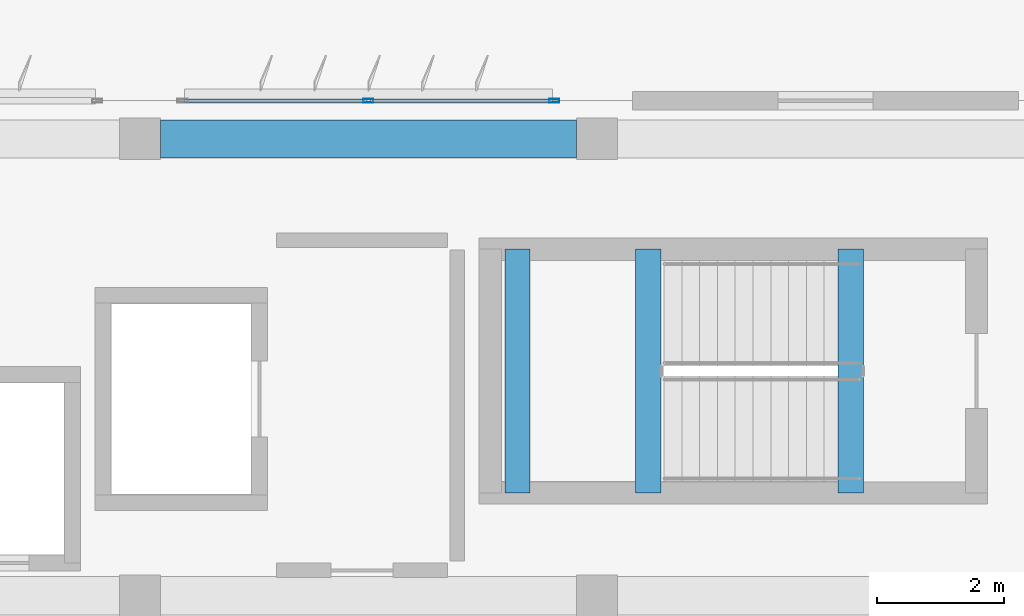
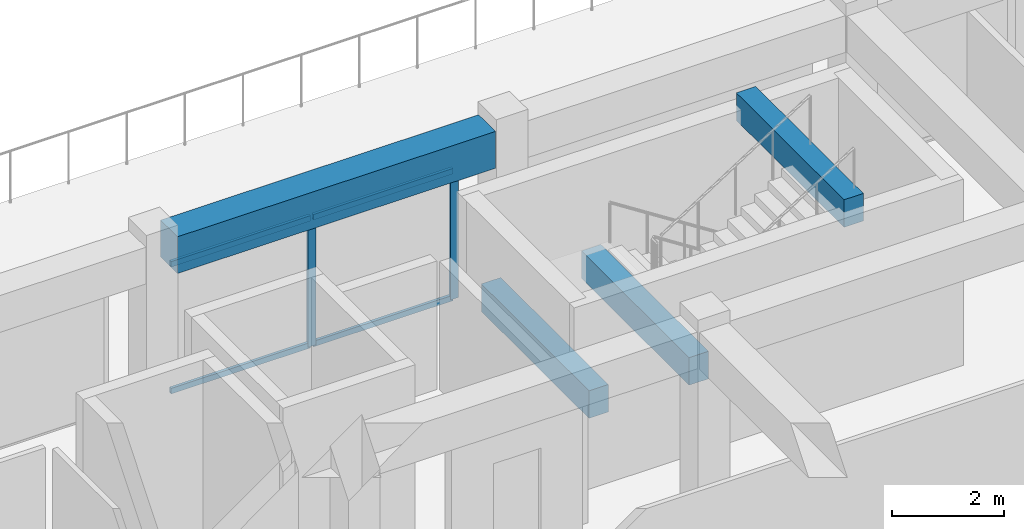
# One storey, part 21 of 42: 6 members, 4 beams, 1 element without a shape of its own.
"""IFC4 building model written with IfcOpenShell, lengths in metres."""

from ifc_helpers import new_model, si_unit, direction, frame, origin, origin_2d, place, context, subcontext, project, spatial, rectangle, hollow_rectangle, extrude, material, material_profile, profile_set, type_object, element, aggregate, save


model = new_model("IFC4")

# Units and contexts
model_context = context("Model", 3, precision=1e-05, world=origin(), true_north=direction((0.0, 1.0)))
body_context = subcontext(model_context, "Body", "Model", "MODEL_VIEW")
ifc_project = project(units=[si_unit("LENGTHUNIT", "METRE"), si_unit("AREAUNIT", "SQUARE_METRE"), si_unit("VOLUMEUNIT", "CUBIC_METRE"), si_unit("PLANEANGLEUNIT", "RADIAN"), si_unit("MASSUNIT", "GRAM", prefix="KILO")], contexts=[model_context])

# Site, building, storey
site_placement = place(None, origin())
site = spatial("IfcSite", under=ifc_project, at=site_placement, CompositionType="ELEMENT")
building_placement = place(site_placement, origin())
building = spatial("IfcBuilding", under=site, at=building_placement, Name="Kazehaya Institute of Natural Sciences", CompositionType="ELEMENT")
storey_placement = place(building_placement, frame((0.0, 0.0, 37.6201171875)))
storey = spatial("IfcBuildingStorey", under=building, at=storey_placement, Name="L08", CompositionType="ELEMENT", Elevation=37.6201171875)

# Beams
ifc_material_1 = material(Name="Concrete Fc36", Category="concrete")
ifc_material_profile_1 = material_profile(ifc_material_1, rectangle(XDim=0.39990234375, YDim=0.60009765625, at=origin_2d()), Name="RC-400x600")
ifc_profile_set_1 = profile_set([ifc_material_profile_1], Name="Concrete Fc36")
beam_type_1 = type_object("IfcBeamType", Name="BM-B-400x600", PredefinedType="BEAM", material=ifc_profile_set_1)
for number, where, z_axis, x_axis, name in (
    (1, (109.0, 22.820068359375, 4.019775390625), (0.0, 1.0, 0.0), (-1.0, 0.0, 0.0), "L09 ST-2 stair header trimmer beam"),
    (2, (103.75, 22.820068359375, 1.699951171875), (0.0, 1.0, 0.0), (-1.0, 0.0, 0.0), "L08 ST-2 landing beam 1"),
    (3, (105.81005859375, 22.820068359375, 1.699951171875), (0.0, 1.0, 0.0), (-1.0, 0.0, 0.0), "L08 ST-2 landing beam 2"),
):
    element("IfcBeam", number, at=place(storey_placement, frame(where, z_axis=z_axis, x_axis=x_axis)), inside=storey, type_object=beam_type_1, Name=name, PredefinedType="BEAM", context=body_context, shape_type="SweptSolid", body=[
        extrude(rectangle(XDim=0.39990234375, YDim=0.60009765625, at=origin_2d()), origin(), (0.0, 0.0, 1.0), 3.83984375),
    ])
ifc_material_profile_2 = material_profile(ifc_material_1, rectangle(XDim=0.60009765625, YDim=0.800048828125, at=origin_2d()), Name="RC-600x800")
ifc_profile_set_2 = profile_set([ifc_material_profile_2], Name="Concrete Fc36")
beam_type_2 = type_object("IfcBeamType", Name="BM-G-600x800", PredefinedType="BEAM", material=ifc_profile_set_2)
beam_placement = place(storey_placement, frame((98.125, 28.39990234375, 3.64990234375), z_axis=(1.0, 0.0, 0.0), x_axis=(0.0, 1.0, 0.0)))
element("IfcBeam", 4, at=beam_placement, inside=storey, type_object=beam_type_2, Name="L08 primary X girder BMX-L08-978-284", PredefinedType="BEAM", context=body_context, shape_type="SweptSolid", body=[
    extrude(rectangle(XDim=0.60009765625, YDim=0.800048828125, at=origin_2d()), origin(), (0.0, 0.0, 1.0), 6.550048828125),
])

# Curtain wall, members
ifc_material_2 = material(Name="Aluminium alloy A6063S-T5", Category="aluminium")
curtain_wall_type = type_object("IfcCurtainWallType", Name="CW-SYS-05", PredefinedType="NOTDEFINED", material=ifc_material_2)
curtain_wall_placement = place(storey_placement, origin())
curtain_wall = element("IfcCurtainWall", 5, at=curtain_wall_placement, inside=storey, type_object=curtain_wall_type, Name="L08 unitised curtain wall CW-L08-191", PredefinedType="NOTDEFINED")
ifc_material_profile_3 = material_profile(ifc_material_2, hollow_rectangle(XDim=0.06005859375, YDim=0.159912109375, WallThickness=0.00390625, at=origin_2d()), Name="ALU-60x160x4")
ifc_profile_set_3 = profile_set([ifc_material_profile_3], Name="Aluminium alloy A6063S-T5")
member_type_1 = type_object("IfcMemberType", Name="CWM-160", PredefinedType="MULLION", material=ifc_profile_set_3)
member_1_placement = place(storey_placement, frame((101.39990234375, 29.0, 0.0), z_axis=(0.0, 0.0, 1.0), x_axis=(0.0, 1.0, 0.0)))
member_1 = element("IfcMember", 6, at=member_1_placement, type_object=member_type_1, Name="CW05 mullion 2", PredefinedType="MULLION", context=body_context, shape_type="SweptSolid", body=[
    extrude(hollow_rectangle(XDim=0.06005859375, YDim=0.159912109375, WallThickness=0.00390625, at=origin_2d()), origin(), (0.0, 0.0, 1.0), 2.81982421875),
])
member_2_placement = place(storey_placement, frame((104.330078125, 29.0, 0.0), z_axis=(0.0, 0.0, 1.0), x_axis=(0.0, 1.0, 0.0)))
member_2 = element("IfcMember", 7, at=member_2_placement, type_object=member_type_1, Name="CW05 mullion 3", PredefinedType="MULLION", context=body_context, shape_type="SweptSolid", body=[
    extrude(hollow_rectangle(XDim=0.06005859375, YDim=0.159912109375, WallThickness=0.00390625, at=origin_2d()), origin(), (0.0, 0.0, 1.0), 2.81982421875),
])
ifc_material_profile_4 = material_profile(ifc_material_2, hollow_rectangle(XDim=0.06005859375, YDim=0.1201171875, WallThickness=0.00341796875, at=origin_2d()), Name="ALU-60x120x3.5")
ifc_profile_set_4 = profile_set([ifc_material_profile_4], Name="Aluminium alloy A6063S-T5")
member_type_2 = type_object("IfcMemberType", Name="CWT-120", PredefinedType="USERDEFINED", material=ifc_profile_set_4)
member_3_placement = place(storey_placement, frame((98.5, 29.0, 0.02978515625), z_axis=(1.0, 0.0, 0.0), x_axis=(0.0, 1.0, 0.0)))
member_3 = element("IfcMember", 8, at=member_3_placement, type_object=member_type_2, Name="CW05 transom 1.1", ObjectType="TRANSOM", PredefinedType="USERDEFINED", context=body_context, shape_type="SweptSolid", body=[
    extrude(hollow_rectangle(XDim=0.06005859375, YDim=0.1201171875, WallThickness=0.00341796875, at=origin_2d()), origin(), (0.0, 0.0, 1.0), 2.8701171875),
])
member_4_placement = place(storey_placement, frame((98.5, 29.0, 2.789794921875), z_axis=(1.0, 0.0, 0.0), x_axis=(0.0, 1.0, 0.0)))
member_4 = element("IfcMember", 9, at=member_4_placement, type_object=member_type_2, Name="CW05 transom 1.2", ObjectType="TRANSOM", PredefinedType="USERDEFINED", context=body_context, shape_type="SweptSolid", body=[
    extrude(hollow_rectangle(XDim=0.06005859375, YDim=0.1201171875, WallThickness=0.00341796875, at=origin_2d()), origin(), (0.0, 0.0, 1.0), 2.8701171875),
])
member_5_placement = place(storey_placement, frame((101.429931640625, 29.0, 0.02978515625), z_axis=(1.0, 0.0, 0.0), x_axis=(0.0, 1.0, 0.0)))
member_5 = element("IfcMember", 10, at=member_5_placement, type_object=member_type_2, Name="CW05 transom 2.1", ObjectType="TRANSOM", PredefinedType="USERDEFINED", context=body_context, shape_type="SweptSolid", body=[
    extrude(hollow_rectangle(XDim=0.06005859375, YDim=0.1201171875, WallThickness=0.00341796875, at=origin_2d()), origin(), (0.0, 0.0, 1.0), 2.8701171875),
])
member_6_placement = place(storey_placement, frame((101.429931640625, 29.0, 2.789794921875), z_axis=(1.0, 0.0, 0.0), x_axis=(0.0, 1.0, 0.0)))
member_6 = element("IfcMember", 11, at=member_6_placement, type_object=member_type_2, Name="CW05 transom 2.2", ObjectType="TRANSOM", PredefinedType="USERDEFINED", context=body_context, shape_type="SweptSolid", body=[
    extrude(hollow_rectangle(XDim=0.06005859375, YDim=0.1201171875, WallThickness=0.00341796875, at=origin_2d()), origin(), (0.0, 0.0, 1.0), 2.8701171875),
])
aggregate(curtain_wall, [member_1, member_2, member_3, member_4, member_5, member_6])

save(model, "model.ifc")
